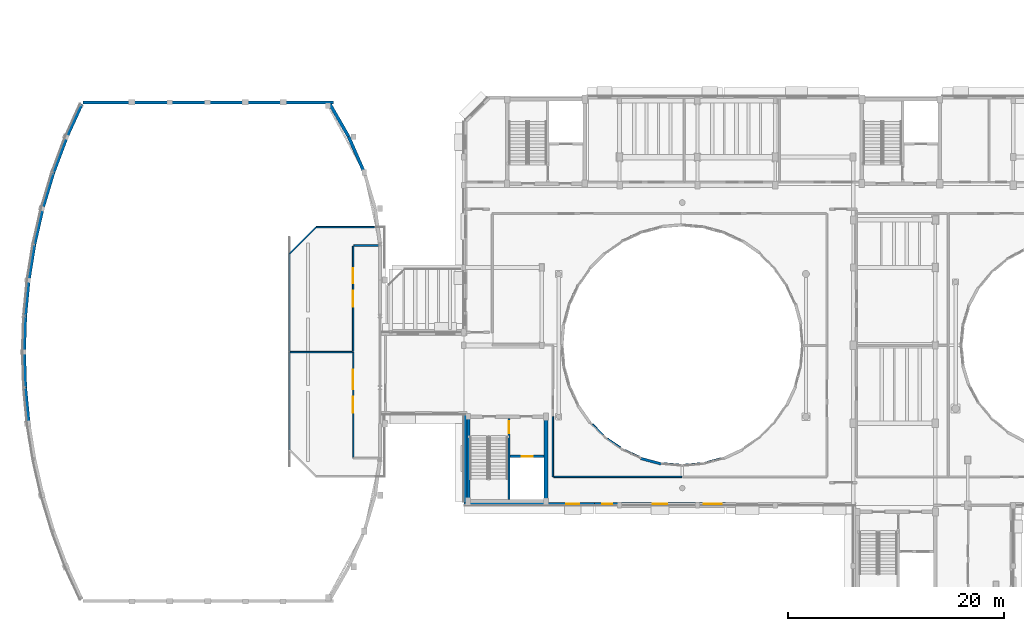
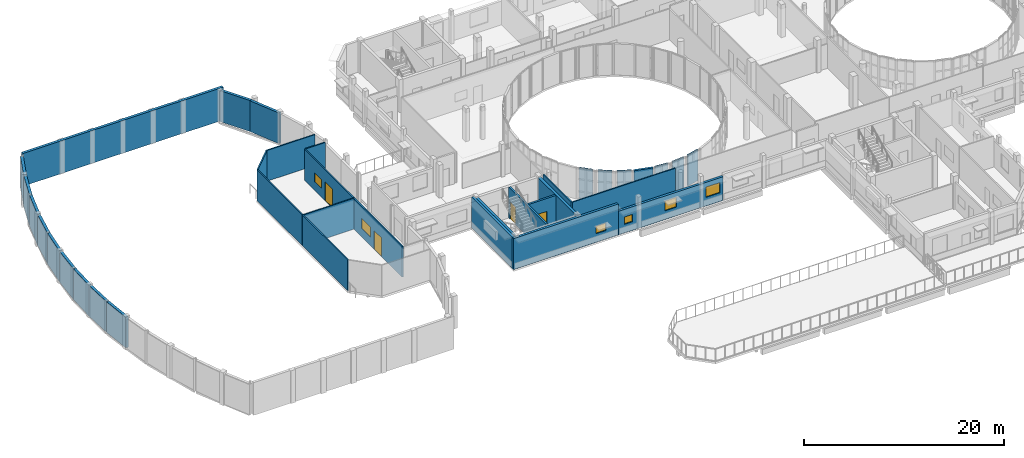
# One storey, part 65 of 92: 36 walls, 6 windows, 4 doors, 10 openings.
"""IFC4 building model written with IfcOpenShell, lengths in metres."""

from ifc_helpers import new_model, si_unit, direction, frame, frame_2d, origin, place, context, subcontext, project, spatial, rectangle, extrude, material, layer, layer_set, type_object, element, fill, save


model = new_model("IFC4")

# Units and contexts
model_context = context("Model", 3, precision=1e-05, world=origin(), true_north=direction((0.0, 1.0)))
body_context = subcontext(model_context, "Body", "Model", "MODEL_VIEW")
ifc_project = project(units=[si_unit("LENGTHUNIT", "METRE"), si_unit("AREAUNIT", "SQUARE_METRE"), si_unit("VOLUMEUNIT", "CUBIC_METRE"), si_unit("PLANEANGLEUNIT", "RADIAN"), si_unit("MASSUNIT", "GRAM", prefix="KILO")], contexts=[model_context])

# Site, building, storey
site_placement = place(None, origin())
site = spatial("IfcSite", under=ifc_project, at=site_placement, CompositionType="ELEMENT")
building_placement = place(site_placement, origin())
building = spatial("IfcBuilding", under=site, at=building_placement, Name="Kelanivale Promenade Academy", CompositionType="ELEMENT")
storey_placement = place(building_placement, frame((0.0, 0.0, 8.199951171875)))
storey = spatial("IfcBuildingStorey", under=building, at=storey_placement, Name="L02", CompositionType="ELEMENT", Elevation=8.199951171875)

# Walls
ifc_material_1 = material(Name="Concrete C40/50", Category="concrete")
ifc_layer_1 = layer(ifc_material_1, 0.330078125)
ifc_layer_set_1 = layer_set([ifc_layer_1], Name="Concrete C40/50")
wall_type_1 = type_object("IfcWallType", Name="CW-S1 Wall 330mm", PredefinedType="SHEAR", material=ifc_layer_set_1)
for number, where, z_axis, x_axis, name in (
    (1, (43.60009765625, 42.56494140625, 0.0), (0.0, 0.0, 1.0), (0.0, 1.0, 0.0), "CORE-6 RC shear wall W L02"),
    (2, (50.800048828125, 42.56494140625, 0.0), (0.0, 0.0, 1.0), (0.0, 1.0, 0.0), "CORE-6 RC shear wall E L02"),
):
    element("IfcWall", number, at=place(storey_placement, frame(where, z_axis=z_axis, x_axis=x_axis)), inside=storey, type_object=wall_type_1, Name=name, PredefinedType="SHEAR", context=body_context, shape_type="SweptSolid", body=[
        extrude(rectangle(XDim=7.469970703125, YDim=0.330078125, at=frame_2d((3.73486328125, 0.0))), origin(), (0.0, 0.0, 1.0), 3.780029296875),
    ])

# Wall, opening, door
ifc_layer_2 = layer(ifc_material_1, 0.22509765625)
ifc_layer_set_2 = layer_set([ifc_layer_2], Name="Concrete C40/50")
wall_type_2 = type_object("IfcWallType", Name="CW-S2 Wall 225mm", PredefinedType="SHEAR", material=ifc_layer_set_2)
wall_1_placement = place(storey_placement, frame((47.485107421875, 46.530029296875, 0.0), z_axis=(0.0, 0.0, 1.0), x_axis=(1.0, 0.0, 0.0)))
wall_1 = element("IfcWall", 3, at=wall_1_placement, inside=storey, type_object=wall_type_2, Name="CORE-6 lift shaft front RC wall L02", PredefinedType="SHEAR", context=body_context, shape_type="SweptSolid", body=[
    extrude(rectangle(XDim=3.14990234375, YDim=0.22509765625, at=frame_2d((1.574951171875, 0.0))), origin(), (0.0, 0.0, 1.0), 3.780029296875),
])
opening_1_placement = place(wall_1_placement, frame((1.050048828125, 0.0, 0.0)))
opening_1 = element("IfcOpeningElement", 4, at=opening_1_placement, cuts=wall_1, Name="Opening LD-LF-P4-L02", PredefinedType="OPENING", context=body_context, shape_type="SweptSolid", body=[
    extrude(rectangle(XDim=1.050048828125, YDim=2.199951171875, at=frame_2d((0.52490234375, 1.10009765625))), frame((0.0, 0.12255859375, 0.0), z_axis=(0.0, -1.0, 0.0), x_axis=(1.0, 0.0, 0.0)), (0.0, 0.0, 1.0), 0.2451171875),
])
ifc_material_2 = material(Name="Fire-rated steel-core teak veneer", Category="steel")
door_type_1 = type_object("IfcDoorType", Name="LD-PL1 Door 1050x2200", OperationType="NOTDEFINED", PredefinedType="DOOR", material=ifc_material_2)
door_1_placement = place(opening_1_placement, origin())
door_1 = element("IfcDoor", 5, at=door_1_placement, inside=storey, type_object=door_type_1, Name="Passenger lift landing door LD-LF-P4-L02", OperationType="SLIDING_TO_LEFT", OverallHeight=2.199951171875, OverallWidth=1.050048828125, PredefinedType="DOOR", context=body_context, shape_type="SweptSolid", body=[
    extrude(rectangle(XDim=1.050048828125, YDim=2.199951171875, at=frame_2d((0.52490234375, 1.10009765625))), frame((0.0, 0.02490234375, 0.0), z_axis=(0.0, -1.0, 0.0), x_axis=(1.0, 0.0, 0.0)), (0.0, 0.0, 1.0), 0.050048828125),
])
fill(opening_1, door_1)

ifc_layer_3 = layer(ifc_material_1, 0.219970703125)
ifc_layer_set_3 = layer_set([ifc_layer_3], Name="Concrete C40/50")
wall_type_3 = type_object("IfcWallType", Name="CW-S3 Wall 220mm", PredefinedType="SHEAR", material=ifc_layer_set_3)
wall_2_placement = place(storey_placement, frame((47.375, 42.56494140625, 0.0), z_axis=(0.0, 0.0, 1.0), x_axis=(0.0, 1.0, 0.0)))
wall_2 = element("IfcWall", 6, at=wall_2_placement, inside=storey, type_object=wall_type_3, Name="CORE-6 stair-lobby dividing RC wall L02", PredefinedType="SHEAR", context=body_context, shape_type="SweptSolid", body=[
    extrude(rectangle(XDim=7.469970703125, YDim=0.219970703125, at=frame_2d((3.73486328125, 0.0))), origin(), (0.0, 0.0, 1.0), 3.780029296875),
])
opening_2_placement = place(wall_2_placement, frame((6.1201171875, 0.0, 0.0)))
opening_2 = element("IfcOpeningElement", 7, at=opening_2_placement, cuts=wall_2, Name="Opening FD-CORE-6-SL-L02", PredefinedType="OPENING", context=body_context, shape_type="SweptSolid", body=[
    extrude(rectangle(XDim=1.10009765625, YDim=2.14990234375, at=frame_2d((0.550048828125, 1.074951171875))), frame((0.0, 0.1201171875, 0.0), z_axis=(0.0, -1.0, 0.0), x_axis=(1.0, 0.0, 0.0)), (0.0, 0.0, 1.0), 0.239990234375),
])
door_type_2 = type_object("IfcDoorType", Name="DT-F01 Door 1100x2150", OperationType="NOTDEFINED", PredefinedType="DOOR", material=ifc_material_2)
door_2_placement = place(opening_2_placement, origin())
door_2 = element("IfcDoor", 8, at=door_2_placement, inside=storey, type_object=door_type_2, Name="CORE-6 lobby-to-stair fire door L02", OperationType="SINGLE_SWING_RIGHT", OverallHeight=2.14990234375, OverallWidth=1.10009765625, PredefinedType="DOOR", context=body_context, shape_type="SweptSolid", body=[
    extrude(rectangle(XDim=1.10009765625, YDim=2.14990234375, at=frame_2d((0.550048828125, 1.074951171875))), frame((0.0, 0.02490234375, 0.0), z_axis=(0.0, -1.0, 0.0), x_axis=(1.0, 0.0, 0.0)), (0.0, 0.0, 1.0), 0.050048828125),
])
fill(opening_2, door_2)

# Walls
ifc_material_3 = material(Name="Insulated terracotta-clad masonry wall 300 mm", Category="masonry")
ifc_layer_4 = layer(ifc_material_3, 0.300048828125)
ifc_layer_set_4 = layer_set([ifc_layer_4], Name="Insulated terracotta-clad masonry wall 300 mm")
wall_type_4 = type_object("IfcWallType", Name="EW-01 Wall 300mm", PredefinedType="SOLIDWALL", material=ifc_layer_set_4)
wall_3_placement = place(storey_placement, frame((2.656005859375, 52.885986328125, 0.0), z_axis=(0.0, 0.0, 1.0), x_axis=(0.095525216858, -0.995427010355, 0.0)))
element("IfcWall", 9, at=wall_3_placement, inside=storey, type_object=wall_type_4, Name="Sports Hall Crescent Pavilion curved terracotta wall L02", PredefinedType="SOLIDWALL", context=body_context, shape_type="SweptSolid", body=[
    extrude(rectangle(XDim=3.330078125, YDim=0.300048828125, at=frame_2d((1.6650390625, 0.0))), origin(), (0.0, 0.0, 1.0), 3.7451171875),
])
for number, where, z_axis, x_axis, name in (
    (10, (2.550048828125, 56.199951171875, 0.0), (0.0, 0.0, 1.0), (0.031956559473, -0.999489258725, 0.0), "Sports Hall Crescent Pavilion curved terracotta wall L02"),
    (11, (2.656005859375, 59.513916015625, 0.0), (0.0, 0.0, 1.0), (-0.031956559473, -0.999489258725, 0.0), "Sports Hall Crescent Pavilion curved terracotta wall L02"),
):
    element("IfcWall", number, at=place(storey_placement, frame(where, z_axis=z_axis, x_axis=x_axis)), inside=storey, type_object=wall_type_4, Name=name, PredefinedType="SOLIDWALL", context=body_context, shape_type="SweptSolid", body=[
        extrude(rectangle(XDim=3.315673828125, YDim=0.300048828125, at=frame_2d((1.65771484375, 0.0))), origin(), (0.0, 0.0, 1.0), 3.7451171875),
    ])
wall_4_placement = place(storey_placement, frame((2.97412109375, 62.8291015625, 0.0), z_axis=(0.0, 0.0, 1.0), x_axis=(-0.095518246268, -0.995427679256, 0.0)))
element("IfcWall", 12, at=wall_4_placement, inside=storey, type_object=wall_type_4, Name="Sports Hall Crescent Pavilion curved terracotta wall L02", PredefinedType="SOLIDWALL", context=body_context, shape_type="SweptSolid", body=[
    extrude(rectangle(XDim=3.330322265625, YDim=0.300048828125, at=frame_2d((1.6650390625, 0.0))), origin(), (0.0, 0.0, 1.0), 3.7451171875),
])
wall_5_placement = place(storey_placement, frame((3.509033203125, 66.14306640625, 0.0), z_axis=(0.0, 0.0, 1.0), x_axis=(-0.159349054769, -0.987222304623, 0.0)))
element("IfcWall", 13, at=wall_5_placement, inside=storey, type_object=wall_type_4, Name="Sports Hall Crescent Pavilion curved terracotta wall L02", PredefinedType="SOLIDWALL", context=body_context, shape_type="SweptSolid", body=[
    extrude(rectangle(XDim=3.35693359375, YDim=0.300048828125, at=frame_2d((1.678466796875, 0.0))), origin(), (0.0, 0.0, 1.0), 3.7451171875),
])
wall_6_placement = place(storey_placement, frame((4.26806640625, 69.45703125, 0.0), z_axis=(0.0, 0.0, 1.0), x_axis=(-0.223259599234, -0.974759022195, 0.0)))
element("IfcWall", 14, at=wall_6_placement, inside=storey, type_object=wall_type_4, Name="Sports Hall Crescent Pavilion curved terracotta wall L02", PredefinedType="SOLIDWALL", context=body_context, shape_type="SweptSolid", body=[
    extrude(rectangle(XDim=3.399658203125, YDim=0.300048828125, at=frame_2d((1.69970703125, 0.0))), origin(), (0.0, 0.0, 1.0), 3.7451171875),
])
wall_7_placement = place(storey_placement, frame((5.260986328125, 72.77099609375, 0.0), z_axis=(0.0, 0.0, 1.0), x_axis=(-0.287011200065, -0.957927226379, 0.0)))
element("IfcWall", 15, at=wall_7_placement, inside=storey, type_object=wall_type_4, Name="Sports Hall Crescent Pavilion curved terracotta wall L02", PredefinedType="SOLIDWALL", context=body_context, shape_type="SweptSolid", body=[
    extrude(rectangle(XDim=3.45947265625, YDim=0.300048828125, at=frame_2d((1.729736328125, 0.0))), origin(), (0.0, 0.0, 1.0), 3.7451171875),
])
wall_8_placement = place(storey_placement, frame((6.5029296875, 76.0859375, 0.0), z_axis=(0.0, 0.0, 1.0), x_axis=(-0.350836219137, -0.936436835746, 0.0)))
element("IfcWall", 16, at=wall_8_placement, inside=storey, type_object=wall_type_4, Name="Sports Hall Crescent Pavilion curved terracotta wall L02", PredefinedType="SOLIDWALL", context=body_context, shape_type="SweptSolid", body=[
    extrude(rectangle(XDim=3.5400390625, YDim=0.300048828125, at=frame_2d((1.77001953125, 0.0))), origin(), (0.0, 0.0, 1.0), 3.7451171875),
])
wall_9_placement = place(storey_placement, frame((7.87109375, 79.091064453125, 0.0), z_axis=(0.0, 0.0, 1.0), x_axis=(-0.414354372568, -0.910115626684, 0.0)))
element("IfcWall", 17, at=wall_9_placement, inside=storey, type_object=wall_type_4, Name="Sports Hall Crescent Pavilion curved terracotta wall L02", PredefinedType="SOLIDWALL", context=body_context, shape_type="SweptSolid", body=[
    extrude(rectangle(XDim=3.302001953125, YDim=0.300048828125, at=frame_2d((1.65087890625, 0.0))), origin(), (0.0, 0.0, 1.0), 3.7451171875),
])
wall_10_placement = place(storey_placement, frame((31.14990234375, 79.25, 0.0), z_axis=(0.0, 0.0, 1.0), x_axis=(-1.0, 0.0, 0.0)))
element("IfcWall", 18, at=wall_10_placement, inside=storey, type_object=wall_type_4, Name="Sports Hall Crescent Pavilion gable wall L02", PredefinedType="SOLIDWALL", context=body_context, shape_type="SweptSolid", body=[
    extrude(rectangle(XDim=23.137939453125, YDim=0.300048828125, at=frame_2d((11.56884765625, 0.0))), origin(), (0.0, 0.0, 1.0), 4.0),
])
wall_11_placement = place(storey_placement, frame((34.0, 72.77099609375, 0.0), z_axis=(0.0, 0.0, 1.0), x_axis=(-0.400740958437, 0.916191401526, 0.0)))
element("IfcWall", 19, at=wall_11_placement, inside=storey, type_object=wall_type_4, Name="Sports Hall Crescent Pavilion inner crescent wall L02", PredefinedType="SOLIDWALL", context=body_context, shape_type="SweptSolid", body=[
    extrude(rectangle(XDim=3.6181640625, YDim=0.300048828125, at=frame_2d((1.80908203125, 0.0))), origin(), (0.0, 0.0, 1.0), 3.7451171875),
])
wall_12_placement = place(storey_placement, frame((32.550048828125, 76.0859375, 0.0), z_axis=(0.0, 0.0, 1.0), x_axis=(-0.497392560198, 0.867525585248, 0.0)))
element("IfcWall", 20, at=wall_12_placement, inside=storey, type_object=wall_type_4, Name="Sports Hall Crescent Pavilion inner crescent wall L02", PredefinedType="SOLIDWALL", context=body_context, shape_type="SweptSolid", body=[
    extrude(rectangle(XDim=3.47998046875, YDim=0.300048828125, at=frame_2d((1.739990234375, 0.0))), origin(), (0.0, 0.0, 1.0), 3.780029296875),
])
ifc_material_4 = material(Name="Insulated ivory stucco masonry wall 280 mm", Category="masonry")
ifc_layer_5 = layer(ifc_material_4, 0.280029296875)
ifc_layer_set_5 = layer_set([ifc_layer_5], Name="Insulated ivory stucco masonry wall 280 mm")
wall_type_5 = type_object("IfcWallType", Name="EW-02 Wall 280mm", PredefinedType="SOLIDWALL", material=ifc_layer_set_5)
wall_13_placement = place(storey_placement, frame((43.340087890625, 50.39990234375, 0.0), z_axis=(0.0, 0.0, 1.0), x_axis=(0.0, -1.0, 0.0)))
element("IfcWall", 21, at=wall_13_placement, inside=storey, type_object=wall_type_5, Name="L02 exterior facade wall EW-L02-ORT-0442", PredefinedType="SOLIDWALL", context=body_context, shape_type="SweptSolid", body=[
    extrude(rectangle(XDim=8.119873046875, YDim=0.280029296875, at=frame_2d((4.06005859375, 0.0))), origin(), (0.0, 0.0, 1.0), 3.780029296875),
])

# Wall, opening, window
wall_14_placement = place(storey_placement, frame((43.199951171875, 42.139892578125, 0.0), z_axis=(0.0, 0.0, 1.0), x_axis=(1.0, 0.0, 0.0)))
wall_14 = element("IfcWall", 22, at=wall_14_placement, inside=storey, type_object=wall_type_5, Name="L02 exterior facade wall EW-L02-ORT-0443", PredefinedType="SOLIDWALL", context=body_context, shape_type="SweptSolid", body=[
    extrude(rectangle(XDim=12.093017578125, YDim=0.280029296875, at=frame_2d((6.04638671875, 0.0))), origin(), (0.0, 0.0, 1.0), 3.780029296875),
])
opening_3_placement = place(wall_14_placement, frame((9.47705078125, 0.0, 1.050048828125)))
opening_3 = element("IfcOpeningElement", 23, at=opening_3_placement, cuts=wall_14, Name="Opening WT-09", PredefinedType="OPENING", context=body_context, shape_type="SweptSolid", body=[
    extrude(rectangle(XDim=1.199951171875, YDim=0.89990234375, at=frame_2d((0.60009765625, 0.449951171875))), frame((0.0, 0.14990234375, 0.0), z_axis=(0.0, -1.0, 0.0), x_axis=(1.0, 0.0, 0.0)), (0.0, 0.0, 1.0), 0.300048828125),
])
ifc_material_5 = material(Name="Bronze anodised aluminium frame with low-E laminated glass", Category="aluminium")
window_type_1 = type_object("IfcWindowType", Name="WT-09 Window 1200x900", PartitioningType="SINGLE_PANEL", PredefinedType="WINDOW", material=ifc_material_5)
window_1_placement = place(opening_3_placement, origin())
window_1 = element("IfcWindow", 24, at=window_1_placement, inside=storey, type_object=window_type_1, Name="Window WT-09", OverallHeight=0.89990234375, OverallWidth=1.199951171875, PartitioningType="SINGLE_PANEL", PredefinedType="WINDOW", context=body_context, shape_type="SweptSolid", body=[
    extrude(rectangle(XDim=1.199951171875, YDim=0.89990234375, at=frame_2d((0.60009765625, 0.449951171875))), frame((0.0, 0.030029296875, 0.0), z_axis=(0.0, -1.0, 0.0), x_axis=(1.0, 0.0, 0.0)), (0.0, 0.0, 1.0), 0.06005859375),
])
fill(opening_3, window_1)

# Wall, openings, windows
wall_15_placement = place(storey_placement, frame((55.29296875, 42.139892578125, 0.0), z_axis=(0.0, 0.0, 1.0), x_axis=(1.0, 0.0, 0.0)))
wall_15 = element("IfcWall", 25, at=wall_15_placement, inside=storey, type_object=wall_type_5, Name="L02 exterior facade wall EW-L02-ORT-0444", PredefinedType="SOLIDWALL", context=body_context, shape_type="SweptSolid", body=[
    extrude(rectangle(XDim=12.093994140625, YDim=0.280029296875, at=frame_2d((6.046875, 0.0))), origin(), (0.0, 0.0, 1.0), 2.875),
])
opening_4_placement = place(wall_15_placement, frame((0.716064453125, 0.0, 1.050048828125)))
opening_4 = element("IfcOpeningElement", 26, at=opening_4_placement, cuts=wall_15, Name="Opening WT-10", PredefinedType="OPENING", context=body_context, shape_type="SweptSolid", body=[
    extrude(rectangle(XDim=0.89990234375, YDim=0.89990234375, at=frame_2d((0.449951171875, 0.449951171875))), frame((0.0, 0.14990234375, 0.0), z_axis=(0.0, -1.0, 0.0), x_axis=(1.0, 0.0, 0.0)), (0.0, 0.0, 1.0), 0.300048828125),
])
opening_5_placement = place(wall_15_placement, frame((5.3720703125, 0.0, 1.050048828125)))
opening_5 = element("IfcOpeningElement", 27, at=opening_5_placement, cuts=wall_15, Name="Opening WT-34", PredefinedType="OPENING", context=body_context, shape_type="SweptSolid", body=[
    extrude(rectangle(XDim=1.35009765625, YDim=1.199951171875, at=frame_2d((0.675048828125, 0.60009765625))), frame((0.0, 0.14990234375, 0.0), z_axis=(0.0, -1.0, 0.0), x_axis=(1.0, 0.0, 0.0)), (0.0, 0.0, 1.0), 0.300048828125),
])
opening_6_placement = place(wall_15_placement, frame((10.083984375, 0.0, 1.050048828125)))
opening_6 = element("IfcOpeningElement", 28, at=opening_6_placement, cuts=wall_15, Name="Opening WT-35", PredefinedType="OPENING", context=body_context, shape_type="SweptSolid", body=[
    extrude(rectangle(XDim=1.64990234375, YDim=1.25, at=frame_2d((0.824951171875, 0.625))), frame((0.0, 0.14990234375, 0.0), z_axis=(0.0, -1.0, 0.0), x_axis=(1.0, 0.0, 0.0)), (0.0, 0.0, 1.0), 0.300048828125),
])
window_type_2 = type_object("IfcWindowType", Name="WT-10 Window 900x900", PartitioningType="SINGLE_PANEL", PredefinedType="WINDOW", material=ifc_material_5)
window_2_placement = place(opening_4_placement, origin())
window_2 = element("IfcWindow", 29, at=window_2_placement, inside=storey, type_object=window_type_2, Name="Window WT-10", OverallHeight=0.89990234375, OverallWidth=0.89990234375, PartitioningType="SINGLE_PANEL", PredefinedType="WINDOW", context=body_context, shape_type="SweptSolid", body=[
    extrude(rectangle(XDim=0.89990234375, YDim=0.89990234375, at=frame_2d((0.449951171875, 0.449951171875))), frame((0.0, 0.030029296875, 0.0), z_axis=(0.0, -1.0, 0.0), x_axis=(1.0, 0.0, 0.0)), (0.0, 0.0, 1.0), 0.06005859375),
])
fill(opening_4, window_2)
window_type_3 = type_object("IfcWindowType", Name="WT-34 Window 1350x1200", PartitioningType="SINGLE_PANEL", PredefinedType="WINDOW", material=ifc_material_5)
window_3_placement = place(opening_5_placement, origin())
window_3 = element("IfcWindow", 30, at=window_3_placement, inside=storey, type_object=window_type_3, Name="Window WT-34", OverallHeight=1.199951171875, OverallWidth=1.35009765625, PartitioningType="SINGLE_PANEL", PredefinedType="WINDOW", context=body_context, shape_type="SweptSolid", body=[
    extrude(rectangle(XDim=1.35009765625, YDim=1.199951171875, at=frame_2d((0.675048828125, 0.60009765625))), frame((0.0, 0.030029296875, 0.0), z_axis=(0.0, -1.0, 0.0), x_axis=(1.0, 0.0, 0.0)), (0.0, 0.0, 1.0), 0.06005859375),
])
fill(opening_5, window_3)
window_type_4 = type_object("IfcWindowType", Name="WT-35 Window 1650x1250", PartitioningType="SINGLE_PANEL", PredefinedType="WINDOW", material=ifc_material_5)
window_4_placement = place(opening_6_placement, origin())
window_4 = element("IfcWindow", 31, at=window_4_placement, inside=storey, type_object=window_type_4, Name="Window WT-35", OverallHeight=1.25, OverallWidth=1.64990234375, PartitioningType="SINGLE_PANEL", PredefinedType="WINDOW", context=body_context, shape_type="SweptSolid", body=[
    extrude(rectangle(XDim=1.64990234375, YDim=1.25, at=frame_2d((0.824951171875, 0.625))), frame((0.0, 0.030029296875, 0.0), z_axis=(0.0, -1.0, 0.0), x_axis=(1.0, 0.0, 0.0)), (0.0, 0.0, 1.0), 0.06005859375),
])
fill(opening_6, window_4)

# Walls
ifc_material_6 = material(Name="Insulated courtyard stucco masonry wall 240 mm", Category="masonry")
ifc_layer_6 = layer(ifc_material_6, 0.239990234375)
ifc_layer_set_6 = layer_set([ifc_layer_6], Name="Insulated courtyard stucco masonry wall 240 mm")
wall_type_6 = type_object("IfcWallType", Name="EW-04 Wall 240mm", PredefinedType="SOLIDWALL", material=ifc_layer_set_6)
wall_16_placement = place(storey_placement, frame((59.577880859375, 46.333984375, 0.0), z_axis=(0.0, 0.0, 1.0), x_axis=(0.966063733258, -0.258303819724, 0.0)))
element("IfcWall", 32, at=wall_16_placement, inside=storey, type_object=wall_type_6, Name="L02 round courtyard stucco wall", PredefinedType="SOLIDWALL", context=body_context, shape_type="SweptSolid", body=[
    extrude(rectangle(XDim=1.966796875, YDim=0.239990234375, at=frame_2d((0.9833984375, 0.0))), origin(), (0.0, 0.0, 1.0), 3.780029296875),
])
ifc_material_7 = material(Name="Acoustic double-stud gypsum board partition 140 mm", Category="masonry")
ifc_layer_7 = layer(ifc_material_7, 0.139892578125)
ifc_layer_set_7 = layer_set([ifc_layer_7], Name="Acoustic double-stud gypsum board partition 140 mm")
wall_type_7 = type_object("IfcWallType", Name="IW-04 Wall 140mm", PredefinedType="PARTITIONING", material=ifc_layer_set_7)
wall_17_placement = place(storey_placement, frame((27.070068359375, 56.169921875, 0.0), z_axis=(0.0, 0.0, 1.0), x_axis=(0.0, -1.0, 0.0)))
element("IfcWall", 33, at=wall_17_placement, inside=storey, type_object=wall_type_7, Name="L02 partition Sports Conditioning Studio", PredefinedType="PARTITIONING", context=body_context, shape_type="SweptSolid", body=[
    extrude(rectangle(XDim=9.034912109375, YDim=0.139892578125, at=frame_2d((4.517578125, 0.0))), origin(), (0.0, 0.0, 1.0), 3.755126953125),
])

# Wall, openings, door, window
wall_18_placement = place(storey_placement, frame((32.969970703125, 46.429931640625, 0.0), z_axis=(0.0, 0.0, 1.0), x_axis=(0.0, 1.0, 0.0)))
wall_18 = element("IfcWall", 34, at=wall_18_placement, inside=storey, type_object=wall_type_7, Name="L02 partition Sports Conditioning Studio", PredefinedType="PARTITIONING", context=body_context, shape_type="SweptSolid", body=[
    extrude(rectangle(XDim=9.739990234375, YDim=0.139892578125, at=frame_2d((4.8701171875, 0.0))), origin(), (0.0, 0.0, 1.0), 3.755126953125),
])
opening_7_placement = place(wall_18_placement, frame((4.14501953125, 0.0, 0.0)))
opening_7 = element("IfcOpeningElement", 35, at=opening_7_placement, cuts=wall_18, Name="Opening ID-L02-111", PredefinedType="OPENING", context=body_context, shape_type="SweptSolid", body=[
    extrude(rectangle(XDim=1.449951171875, YDim=2.280029296875, at=frame_2d((0.72509765625, 1.14013671875))), frame((0.0, 0.080078125, 0.0), z_axis=(0.0, -1.0, 0.0), x_axis=(1.0, 0.0, 0.0)), (0.0, 0.0, 1.0), 0.159912109375),
])
opening_8_placement = place(wall_18_placement, frame((6.294921875, 0.0, 1.050048828125)))
opening_8 = element("IfcOpeningElement", 36, at=opening_8_placement, cuts=wall_18, Name="Opening WT-I02", PredefinedType="OPENING", context=body_context, shape_type="SweptSolid", body=[
    extrude(rectangle(XDim=1.800048828125, YDim=1.199951171875, at=frame_2d((0.89990234375, 0.60009765625))), frame((0.0, 0.080078125, 0.0), z_axis=(0.0, -1.0, 0.0), x_axis=(1.0, 0.0, 0.0)), (0.0, 0.0, 1.0), 0.159912109375),
])
ifc_material_8 = material(Name="Solid-core tropical teak timber", Category="wood")
door_type_3 = type_object("IfcDoorType", Name="DT-I20 Door 1450x2280", OperationType="NOTDEFINED", PredefinedType="DOOR", material=ifc_material_8)
door_3_placement = place(opening_7_placement, origin())
door_3 = element("IfcDoor", 37, at=door_3_placement, inside=storey, type_object=door_type_3, Name="Sports Conditioning Studio door ID-L02-111", OperationType="DOUBLE_DOOR_SINGLE_SWING", OverallHeight=2.280029296875, OverallWidth=1.449951171875, PredefinedType="DOOR", context=body_context, shape_type="SweptSolid", body=[
    extrude(rectangle(XDim=1.449951171875, YDim=2.280029296875, at=frame_2d((0.72509765625, 1.14013671875))), frame((0.0, 0.02490234375, 0.0), z_axis=(0.0, -1.0, 0.0), x_axis=(1.0, 0.0, 0.0)), (0.0, 0.0, 1.0), 0.050048828125),
])
fill(opening_7, door_3)
window_type_5 = type_object("IfcWindowType", Name="WT-I02 Window 1800x1200", PartitioningType="SINGLE_PANEL", PredefinedType="WINDOW", material=ifc_material_5)
window_5_placement = place(opening_8_placement, origin())
window_5 = element("IfcWindow", 38, at=window_5_placement, inside=storey, type_object=window_type_5, Name="Interior observation window WT-I02", OverallHeight=1.199951171875, OverallWidth=1.800048828125, PartitioningType="SINGLE_PANEL", PredefinedType="WINDOW", context=body_context, shape_type="SweptSolid", body=[
    extrude(rectangle(XDim=1.800048828125, YDim=1.199951171875, at=frame_2d((0.89990234375, 0.60009765625))), frame((0.0, 0.030029296875, 0.0), z_axis=(0.0, -1.0, 0.0), x_axis=(1.0, 0.0, 0.0)), (0.0, 0.0, 1.0), 0.06005859375),
])
fill(opening_8, window_5)

# Walls
wall_19_placement = place(storey_placement, frame((32.902099609375, 56.169921875, 0.0), z_axis=(0.0, 0.0, 1.0), x_axis=(-1.0, 0.0, 0.0)))
element("IfcWall", 39, at=wall_19_placement, inside=storey, type_object=wall_type_7, Name="L02 partition Sports Conditioning Studio", PredefinedType="PARTITIONING", context=body_context, shape_type="SweptSolid", body=[
    extrude(rectangle(XDim=5.76416015625, YDim=0.139892578125, at=frame_2d((2.882080078125, 0.0))), origin(), (0.0, 0.0, 1.0), 3.755126953125),
])
wall_20_placement = place(storey_placement, frame((35.1220703125, 67.72998046875, 0.0), z_axis=(0.0, 0.0, 1.0), x_axis=(-1.0, 0.0, 0.0)))
element("IfcWall", 40, at=wall_20_placement, inside=storey, type_object=wall_type_7, Name="L02 partition Sports Viewing Gallery", PredefinedType="PARTITIONING", context=body_context, shape_type="SweptSolid", body=[
    extrude(rectangle(XDim=5.587158203125, YDim=0.139892578125, at=frame_2d((2.79345703125, 0.0))), origin(), (0.0, 0.0, 1.0), 3.755126953125),
])
wall_21_placement = place(storey_placement, frame((29.535888671875, 67.73095703125, 0.0), z_axis=(0.0, 0.0, 1.0), x_axis=(-0.707071776767, -0.707141783873, 0.0)))
element("IfcWall", 41, at=wall_21_placement, inside=storey, type_object=wall_type_7, Name="L02 partition Sports Viewing Gallery", PredefinedType="PARTITIONING", context=body_context, shape_type="SweptSolid", body=[
    extrude(rectangle(XDim=3.4873046875, YDim=0.139892578125, at=frame_2d((1.74365234375, 0.0))), origin(), (0.0, 0.0, 1.0), 3.755126953125),
])
wall_22_placement = place(storey_placement, frame((27.070068359375, 65.26708984375, 0.0), z_axis=(0.0, 0.0, 1.0), x_axis=(0.0, -1.0, 0.0)))
element("IfcWall", 42, at=wall_22_placement, inside=storey, type_object=wall_type_7, Name="L02 partition Sports Viewing Gallery", PredefinedType="PARTITIONING", context=body_context, shape_type="SweptSolid", body=[
    extrude(rectangle(XDim=9.037109375, YDim=0.139892578125, at=frame_2d((4.5185546875, 0.0))), origin(), (0.0, 0.0, 1.0), 3.755126953125),
])

# Wall, openings, door, window
wall_23_placement = place(storey_placement, frame((32.969970703125, 56.22998046875, 0.0), z_axis=(0.0, 0.0, 1.0), x_axis=(0.0, 1.0, 0.0)))
wall_23 = element("IfcWall", 43, at=wall_23_placement, inside=storey, type_object=wall_type_7, Name="L02 partition Sports Viewing Gallery", PredefinedType="PARTITIONING", context=body_context, shape_type="SweptSolid", body=[
    extrude(rectangle(XDim=9.739990234375, YDim=0.139892578125, at=frame_2d((4.8701171875, 0.0))), origin(), (0.0, 0.0, 1.0), 3.755126953125),
])
opening_9_placement = place(wall_23_placement, frame((4.14501953125, 0.0, 0.0)))
opening_9 = element("IfcOpeningElement", 44, at=opening_9_placement, cuts=wall_23, Name="Opening ID-L02-112", PredefinedType="OPENING", context=body_context, shape_type="SweptSolid", body=[
    extrude(rectangle(XDim=1.449951171875, YDim=2.280029296875, at=frame_2d((0.72509765625, 1.14013671875))), frame((0.0, 0.080078125, 0.0), z_axis=(0.0, -1.0, 0.0), x_axis=(1.0, 0.0, 0.0)), (0.0, 0.0, 1.0), 0.159912109375),
])
opening_10_placement = place(wall_23_placement, frame((6.294921875, 0.0, 1.050048828125)))
opening_10 = element("IfcOpeningElement", 45, at=opening_10_placement, cuts=wall_23, Name="Opening WT-I03", PredefinedType="OPENING", context=body_context, shape_type="SweptSolid", body=[
    extrude(rectangle(XDim=1.39990234375, YDim=1.050048828125, at=frame_2d((0.699951171875, 0.52490234375))), frame((0.0, 0.080078125, 0.0), z_axis=(0.0, -1.0, 0.0), x_axis=(1.0, 0.0, 0.0)), (0.0, 0.0, 1.0), 0.159912109375),
])
door_4_placement = place(opening_9_placement, origin())
door_4 = element("IfcDoor", 46, at=door_4_placement, inside=storey, type_object=door_type_3, Name="Sports Viewing Gallery door ID-L02-112", OperationType="DOUBLE_DOOR_SINGLE_SWING", OverallHeight=2.280029296875, OverallWidth=1.449951171875, PredefinedType="DOOR", context=body_context, shape_type="SweptSolid", body=[
    extrude(rectangle(XDim=1.449951171875, YDim=2.280029296875, at=frame_2d((0.72509765625, 1.14013671875))), frame((0.0, 0.02490234375, 0.0), z_axis=(0.0, -1.0, 0.0), x_axis=(1.0, 0.0, 0.0)), (0.0, 0.0, 1.0), 0.050048828125),
])
fill(opening_9, door_4)
window_type_6 = type_object("IfcWindowType", Name="WT-I03 Window 1400x1050", PartitioningType="SINGLE_PANEL", PredefinedType="WINDOW", material=ifc_material_5)
window_6_placement = place(opening_10_placement, origin())
window_6 = element("IfcWindow", 47, at=window_6_placement, inside=storey, type_object=window_type_6, Name="Interior observation window WT-I03", OverallHeight=1.050048828125, OverallWidth=1.39990234375, PartitioningType="SINGLE_PANEL", PredefinedType="WINDOW", context=body_context, shape_type="SweptSolid", body=[
    extrude(rectangle(XDim=1.39990234375, YDim=1.050048828125, at=frame_2d((0.699951171875, 0.52490234375))), frame((0.0, 0.030029296875, 0.0), z_axis=(0.0, -1.0, 0.0), x_axis=(1.0, 0.0, 0.0)), (0.0, 0.0, 1.0), 0.06005859375),
])
fill(opening_10, window_6)

# Walls
wall_24_placement = place(storey_placement, frame((33.030029296875, 66.030029296875, 0.0), z_axis=(0.0, 0.0, 1.0), x_axis=(1.0, 0.0, 0.0)))
element("IfcWall", 48, at=wall_24_placement, inside=storey, type_object=wall_type_7, Name="L02 partition Sports Viewing Gallery", PredefinedType="PARTITIONING", context=body_context, shape_type="SweptSolid", body=[
    extrude(rectangle(XDim=2.27197265625, YDim=0.139892578125, at=frame_2d((1.135986328125, 0.0))), origin(), (0.0, 0.0, 1.0), 3.755126953125),
])
wall_25_placement = place(storey_placement, frame((51.429931640625, 50.22998046875, 0.0), z_axis=(0.0, 0.0, 1.0), x_axis=(0.0, -1.0, 0.0)))
element("IfcWall", 49, at=wall_25_placement, inside=storey, type_object=wall_type_7, Name="L02 partition Secondary Classroom West A", PredefinedType="PARTITIONING", context=body_context, shape_type="SweptSolid", body=[
    extrude(rectangle(XDim=5.60009765625, YDim=0.139892578125, at=frame_2d((2.800048828125, 0.0))), origin(), (0.0, 0.0, 1.0), 3.775146484375),
])
wall_26_placement = place(storey_placement, frame((51.498046875, 44.6298828125, 0.0), z_axis=(0.0, 0.0, 1.0), x_axis=(1.0, 0.0, 0.0)))
element("IfcWall", 50, at=wall_26_placement, inside=storey, type_object=wall_type_7, Name="L02 partition Secondary Classroom West A", PredefinedType="PARTITIONING", context=body_context, shape_type="SweptSolid", body=[
    extrude(rectangle(XDim=11.8720703125, YDim=0.139892578125, at=frame_2d((5.93603515625, 0.0))), origin(), (0.0, 0.0, 1.0), 3.775146484375),
])
wall_27_placement = place(storey_placement, frame((63.123046875, 45.75390625, 0.0), z_axis=(0.0, 0.0, 1.0), x_axis=(-0.996215560037, 0.086916960031, 0.0)))
element("IfcWall", 51, at=wall_27_placement, inside=storey, type_object=wall_type_7, Name="L02 partition Secondary Classroom West A", PredefinedType="PARTITIONING", context=body_context, shape_type="SweptSolid", body=[
    extrude(rectangle(XDim=1.393310546875, YDim=0.139892578125, at=frame_2d((0.69677734375, 0.0))), origin(), (0.0, 0.0, 1.0), 3.775146484375),
])
wall_28_placement = place(storey_placement, frame((59.37890625, 46.506103515625, 0.0), z_axis=(0.0, 0.0, 1.0), x_axis=(-0.906002021568, 0.423273359561, 0.0)))
element("IfcWall", 52, at=wall_28_placement, inside=storey, type_object=wall_type_7, Name="L02 partition Secondary Classroom West A", PredefinedType="PARTITIONING", context=body_context, shape_type="SweptSolid", body=[
    extrude(rectangle(XDim=1.41259765625, YDim=0.139892578125, at=frame_2d((0.706298828125, 0.0))), origin(), (0.0, 0.0, 1.0), 3.775146484375),
])
wall_29_placement = place(storey_placement, frame((57.653076171875, 47.361083984375, 0.0), z_axis=(0.0, 0.0, 1.0), x_axis=(-0.819077743108, 0.57368253481, 0.0)))
element("IfcWall", 53, at=wall_29_placement, inside=storey, type_object=wall_type_7, Name="L02 partition Secondary Classroom West A", PredefinedType="PARTITIONING", context=body_context, shape_type="SweptSolid", body=[
    extrude(rectangle(XDim=1.413818359375, YDim=0.139892578125, at=frame_2d((0.70703125, 0.0))), origin(), (0.0, 0.0, 1.0), 3.775146484375),
])
wall_30_placement = place(storey_placement, frame((56.10107421875, 48.5029296875, 0.0), z_axis=(0.0, 0.0, 1.0), x_axis=(-0.707106781187, 0.707106781187, 0.0)))
element("IfcWall", 54, at=wall_30_placement, inside=storey, type_object=wall_type_7, Name="L02 partition Secondary Classroom West A", PredefinedType="PARTITIONING", context=body_context, shape_type="SweptSolid", body=[
    extrude(rectangle(XDim=1.411376953125, YDim=0.139892578125, at=frame_2d((0.70556640625, 0.0))), origin(), (0.0, 0.0, 1.0), 3.775146484375),
])
wall_31_placement = place(storey_placement, frame((66.93603515625, 46.330078125, 0.0), z_axis=(0.0, 0.0, 1.0), x_axis=(-0.966013611766, -0.258491202719, 0.0)))
element("IfcWall", 55, at=wall_31_placement, inside=storey, type_object=wall_type_7, Name="L02 partition Mathematics Classroom Courtyard South", PredefinedType="PARTITIONING", context=body_context, shape_type="SweptSolid", body=[
    extrude(rectangle(XDim=1.412109375, YDim=0.139892578125, at=frame_2d((0.7060546875, 0.0))), origin(), (0.0, 0.0, 1.0), 3.775146484375),
])
wall_32_placement = place(storey_placement, frame((65.06494140625, 45.875, 0.0), z_axis=(0.0, 0.0, 1.0), x_axis=(-0.996215560037, -0.086916960031, 0.0)))
element("IfcWall", 56, at=wall_32_placement, inside=storey, type_object=wall_type_7, Name="L02 partition Mathematics Classroom Courtyard South", PredefinedType="PARTITIONING", context=body_context, shape_type="SweptSolid", body=[
    extrude(rectangle(XDim=1.393310546875, YDim=0.139892578125, at=frame_2d((0.69677734375, 0.0))), origin(), (0.0, 0.0, 1.0), 3.775146484375),
])

save(model, "model.ifc")
